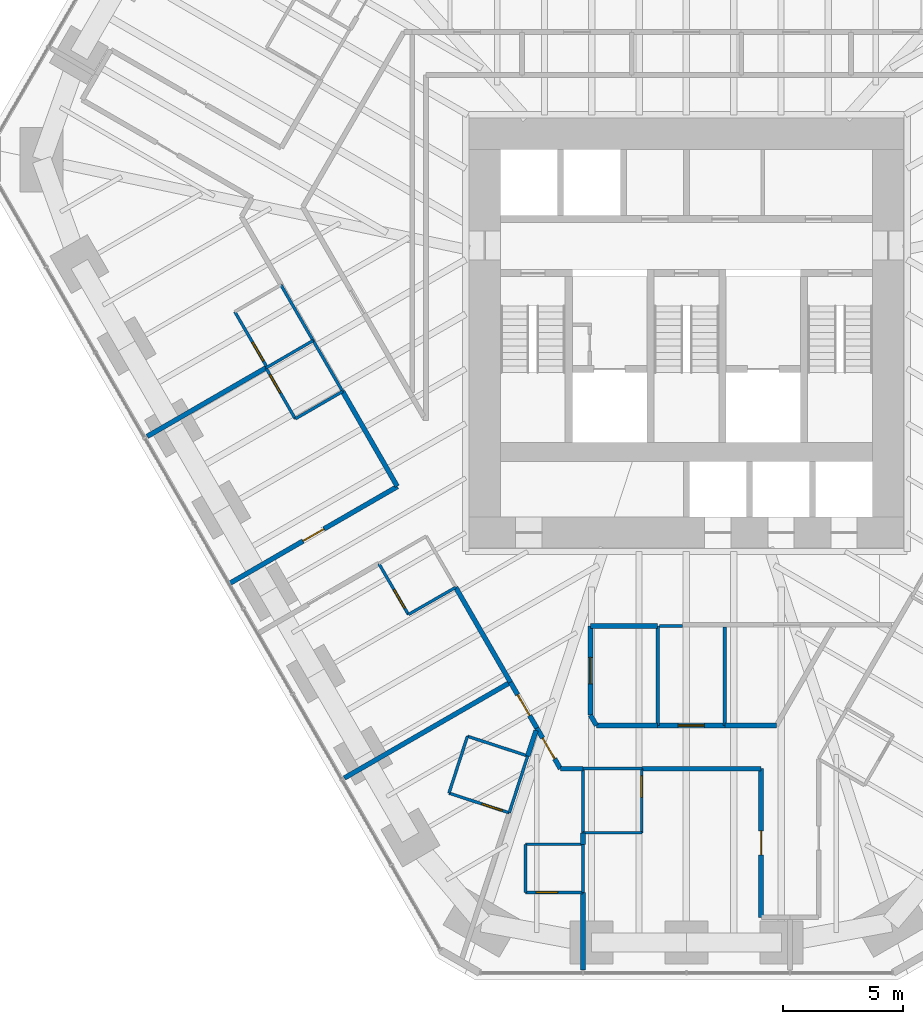
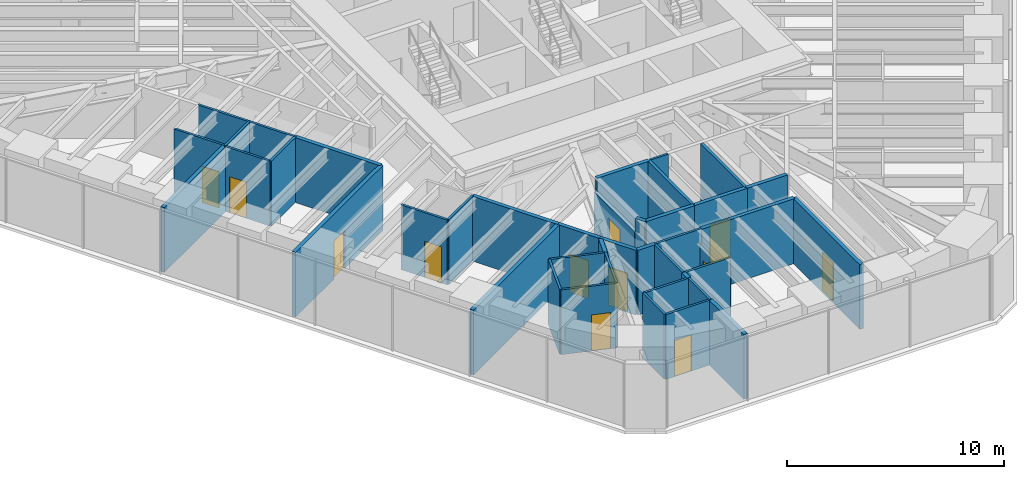
# One storey, part 11 of 17: 42 walls, 12 doors, 12 openings.
"""IFC4 building model written with IfcOpenShell, lengths in metres."""

from ifc_helpers import new_model, si_unit, direction, frame, frame_2d, origin, place, context, subcontext, project, spatial, rectangle, extrude, material, layer, layer_set, type_object, element, fill, save


model = new_model("IFC4")

# Units and contexts
model_context = context("Model", 3, precision=1e-05, world=origin(), true_north=direction((0.0, 1.0)))
body_context = subcontext(model_context, "Body", "Model", "MODEL_VIEW")
ifc_project = project(units=[si_unit("LENGTHUNIT", "METRE"), si_unit("AREAUNIT", "SQUARE_METRE"), si_unit("VOLUMEUNIT", "CUBIC_METRE"), si_unit("PLANEANGLEUNIT", "RADIAN"), si_unit("MASSUNIT", "GRAM", prefix="KILO")], contexts=[model_context])

# Site, building, storey
site_placement = place(None, origin())
site = spatial("IfcSite", under=ifc_project, at=site_placement, CompositionType="ELEMENT")
building_placement = place(site_placement, origin())
building = spatial("IfcBuilding", under=site, at=building_placement, Name="Sandreach Pilgrim Tower", CompositionType="ELEMENT")
storey_placement = place(building_placement, frame((0.0, 0.0, 127.199951171875)))
storey = spatial("IfcBuildingStorey", under=building, at=storey_placement, Name="L31", CompositionType="ELEMENT", Elevation=127.199951171875)

# Walls
ifc_material_1 = material(Name="Gypsum board on steel studs", Category="steel")
ifc_layer_1 = layer(ifc_material_1, 0.14990234375)
ifc_layer_set_1 = layer_set([ifc_layer_1], Name="Back of house wall 150")
wall_type_1 = type_object("IfcWallType", Name="Back of house wall 150", PredefinedType="PARTITIONING", material=ifc_layer_set_1)
wall_1_placement = place(storey_placement, frame((-1.199951171875, -13.75, 0.0), z_axis=(0.0, 0.0, 1.0), x_axis=(0.0, -1.0, 0.0)))
element("IfcWall", 1, at=wall_1_placement, inside=storey, type_object=wall_type_1, Name="Back of house wall L31-089", PredefinedType="PARTITIONING", context=body_context, shape_type="SweptSolid", body=[
    extrude(rectangle(XDim=4.139892578125, YDim=0.14990234375, at=frame_2d((2.06982421875, 0.0))), origin(), (0.0, 0.0, 1.0), 3.64013671875),
])
wall_2_placement = place(storey_placement, frame((1.60009765625, -13.800048828125, 0.0), z_axis=(0.0, 0.0, 1.0), x_axis=(0.0, -1.0, 0.0)))
element("IfcWall", 2, at=wall_2_placement, inside=storey, type_object=wall_type_1, Name="Back of house wall L31-093", PredefinedType="PARTITIONING", context=body_context, shape_type="SweptSolid", body=[
    extrude(rectangle(XDim=4.08984375, YDim=0.14990234375, at=frame_2d((2.044921875, 0.0))), origin(), (0.0, 0.0, 1.0), 3.64013671875),
])

# Wall, opening, door
ifc_material_2 = material(Name="Moisture-resistant gypsum board on steel studs", Category="steel")
ifc_layer_2 = layer(ifc_material_2, 0.1201171875)
ifc_layer_set_2 = layer_set([ifc_layer_2], Name="Bathroom partition 120")
wall_type_2 = type_object("IfcWallType", Name="Bathroom partition 120", PredefinedType="PARTITIONING", material=ifc_layer_set_2)
wall_3_placement = place(storey_placement, frame((-18.81005859375, -0.659912109375, 0.0), z_axis=(0.0, 0.0, 1.0), x_axis=(0.501789229896, -0.86498992408, 0.0)))
wall_3 = element("IfcWall", 3, at=wall_3_placement, inside=storey, type_object=wall_type_2, Name="Bathroom partition L31-007", PredefinedType="PARTITIONING", context=body_context, shape_type="SweptSolid", body=[
    extrude(rectangle(XDim=2.670654296875, YDim=0.1201171875, at=frame_2d((1.33544921875, 0.0))), origin(), (0.0, 0.0, 1.0), 3.64013671875),
])
opening_1_placement = place(wall_3_placement, frame((1.470458984375, 0.0, 0.0)))
opening_1 = element("IfcOpeningElement", 4, at=opening_1_placement, cuts=wall_3, Name="Opening D09-17B", PredefinedType="OPENING", context=body_context, shape_type="SweptSolid", body=[
    extrude(rectangle(XDim=0.89990234375, YDim=2.030029296875, at=frame_2d((0.449951171875, 1.01513671875))), frame((0.0, 0.06005859375, 0.0), z_axis=(0.0, -1.0, 0.0), x_axis=(1.0, 0.0, 0.0)), (0.0, 0.0, 1.0), 0.1201171875),
])
ifc_material_3 = material(Name="Timber door, steel frame", Category="steel")
door_type_1 = type_object("IfcDoorType", Name="Bathroom door", OperationType="SINGLE_SWING_LEFT", PredefinedType="DOOR", material=ifc_material_3)
door_1_placement = place(opening_1_placement, origin())
door_1 = element("IfcDoor", 5, at=door_1_placement, inside=storey, type_object=door_type_1, Name="Door 3117B", OperationType="SINGLE_SWING_RIGHT", OverallHeight=2.030029296875, OverallWidth=0.89990234375, PredefinedType="DOOR", context=body_context, shape_type="SweptSolid", body=[
    extrude(rectangle(XDim=0.89990234375, YDim=2.030029296875, at=frame_2d((0.449951171875, 1.01513671875))), frame((0.0, 0.02490234375, 0.0), z_axis=(0.0, -1.0, 0.0), x_axis=(1.0, 0.0, 0.0)), (0.0, 0.0, 1.0), 0.050048828125),
])
fill(opening_1, door_1)

# Wall
wall_4_placement = place(storey_placement, frame((-17.510009765625, -3.0, 0.0), z_axis=(0.0, 0.0, 1.0), x_axis=(0.864434275542, 0.502745843611, 0.0)))
element("IfcWall", 6, at=wall_4_placement, inside=storey, type_object=wall_type_2, Name="Bathroom partition L31-011", PredefinedType="PARTITIONING", context=body_context, shape_type="SweptSolid", body=[
    extrude(rectangle(XDim=2.267333984375, YDim=0.1201171875, at=frame_2d((1.1337890625, 0.0))), origin(), (0.0, 0.0, 1.0), 3.64013671875),
])

# Wall, opening, door
wall_5_placement = place(storey_placement, frame((-17.507568359375, -3.00439453125, 0.0), z_axis=(0.0, 0.0, 1.0), x_axis=(0.498775507858, -0.866731211369, 0.0)))
wall_5 = element("IfcWall", 7, at=wall_5_placement, inside=storey, type_object=wall_type_2, Name="Bathroom partition L31-012", PredefinedType="PARTITIONING", context=body_context, shape_type="SweptSolid", body=[
    extrude(rectangle(XDim=2.44091796875, YDim=0.1201171875, at=frame_2d((1.220458984375, 0.0))), origin(), (0.0, 0.0, 1.0), 3.64013671875),
])
opening_2_placement = place(wall_5_placement, frame((0.300048828125, 0.0, 0.0)))
opening_2 = element("IfcOpeningElement", 8, at=opening_2_placement, cuts=wall_5, Name="Opening D09-16B", PredefinedType="OPENING", context=body_context, shape_type="SweptSolid", body=[
    extrude(rectangle(XDim=0.89990234375, YDim=2.030029296875, at=frame_2d((0.449951171875, 1.01513671875))), frame((0.0, 0.06005859375, 0.0), z_axis=(0.0, -1.0, 0.0), x_axis=(1.0, 0.0, 0.0)), (0.0, 0.0, 1.0), 0.1201171875),
])
door_2_placement = place(opening_2_placement, origin())
door_2 = element("IfcDoor", 9, at=door_2_placement, inside=storey, type_object=door_type_1, Name="Door 3116B", OperationType="SINGLE_SWING_LEFT", OverallHeight=2.030029296875, OverallWidth=0.89990234375, PredefinedType="DOOR", context=body_context, shape_type="SweptSolid", body=[
    extrude(rectangle(XDim=0.89990234375, YDim=2.030029296875, at=frame_2d((0.449951171875, 1.01513671875))), frame((0.0, 0.02490234375, 0.0), z_axis=(0.0, -1.0, 0.0), x_axis=(1.0, 0.0, 0.0)), (0.0, 0.0, 1.0), 0.050048828125),
])
fill(opening_2, door_2)

# Walls
wall_6_placement = place(storey_placement, frame((-16.2900390625, -5.1201171875, 0.0), z_axis=(0.0, 0.0, 1.0), x_axis=(0.865497265561, 0.500913648553, 0.0)))
element("IfcWall", 10, at=wall_6_placement, inside=storey, type_object=wall_type_2, Name="Bathroom partition L31-019", PredefinedType="PARTITIONING", context=body_context, shape_type="SweptSolid", body=[
    extrude(rectangle(XDim=2.276123046875, YDim=0.1201171875, at=frame_2d((1.13818359375, 0.0))), origin(), (0.0, 0.0, 1.0), 3.64013671875),
])
wall_7_placement = place(storey_placement, frame((-15.550048828125, -1.860107421875, 0.0), z_axis=(0.0, 0.0, 1.0), x_axis=(-0.500098439427, 0.865968562295, 0.0)))
element("IfcWall", 11, at=wall_7_placement, inside=storey, type_object=wall_type_2, Name="Bathroom partition L31-024", PredefinedType="PARTITIONING", context=body_context, shape_type="SweptSolid", body=[
    extrude(rectangle(XDim=2.67919921875, YDim=0.1201171875, at=frame_2d((1.339599609375, 0.0))), origin(), (0.0, 0.0, 1.0), 3.64013671875),
])
wall_8_placement = place(storey_placement, frame((-15.550048828125, -1.860107421875, 0.0), z_axis=(0.0, 0.0, 1.0), x_axis=(0.501856726365, -0.86495076519, 0.0)))
element("IfcWall", 12, at=wall_8_placement, inside=storey, type_object=wall_type_2, Name="Bathroom partition L31-025", PredefinedType="PARTITIONING", context=body_context, shape_type="SweptSolid", body=[
    extrude(rectangle(XDim=2.450927734375, YDim=0.1201171875, at=frame_2d((1.2255859375, 0.0))), origin(), (0.0, 0.0, 1.0), 3.64013671875),
])

# Wall, opening, door
wall_9_placement = place(storey_placement, frame((-12.81005859375, -11.14990234375, 0.0), z_axis=(0.0, 0.0, 1.0), x_axis=(0.501813488763, -0.864975850817, 0.0)))
wall_9 = element("IfcWall", 13, at=wall_9_placement, inside=storey, type_object=wall_type_2, Name="Bathroom partition L31-034", PredefinedType="PARTITIONING", context=body_context, shape_type="SweptSolid", body=[
    extrude(rectangle(XDim=2.451171875, YDim=0.1201171875, at=frame_2d((1.2255859375, 0.0))), origin(), (0.0, 0.0, 1.0), 3.64013671875),
])
opening_3_placement = place(wall_9_placement, frame((1.2509765625, 0.0, 0.0)))
opening_3 = element("IfcOpeningElement", 14, at=opening_3_placement, cuts=wall_9, Name="Opening D09-15B", PredefinedType="OPENING", context=body_context, shape_type="SweptSolid", body=[
    extrude(rectangle(XDim=0.89990234375, YDim=2.030029296875, at=frame_2d((0.449951171875, 1.01513671875))), frame((0.0, 0.06005859375, 0.0), z_axis=(0.0, -1.0, 0.0), x_axis=(1.0, 0.0, 0.0)), (0.0, 0.0, 1.0), 0.1201171875),
])
door_3_placement = place(opening_3_placement, origin())
door_3 = element("IfcDoor", 15, at=door_3_placement, inside=storey, type_object=door_type_1, Name="Door 3115B", OperationType="SINGLE_SWING_RIGHT", OverallHeight=2.030029296875, OverallWidth=0.89990234375, PredefinedType="DOOR", context=body_context, shape_type="SweptSolid", body=[
    extrude(rectangle(XDim=0.89990234375, YDim=2.030029296875, at=frame_2d((0.449951171875, 1.01513671875))), frame((0.0, 0.02490234375, 0.0), z_axis=(0.0, -1.0, 0.0), x_axis=(1.0, 0.0, 0.0)), (0.0, 0.0, 1.0), 0.050048828125),
])
fill(opening_3, door_3)

# Wall
wall_10_placement = place(storey_placement, frame((-11.580078125, -13.27001953125, 0.0), z_axis=(0.0, 0.0, 1.0), x_axis=(0.867428373024, 0.497562074192, 0.0)))
element("IfcWall", 16, at=wall_10_placement, inside=storey, type_object=wall_type_2, Name="Bathroom partition L31-041", PredefinedType="PARTITIONING", context=body_context, shape_type="SweptSolid", body=[
    extrude(rectangle(XDim=2.271240234375, YDim=0.1201171875, at=frame_2d((1.1357421875, 0.0))), origin(), (0.0, 0.0, 1.0), 3.64013671875),
])

# Wall, opening, door
wall_11_placement = place(storey_placement, frame((-9.889892578125, -20.7099609375, 0.0), z_axis=(0.0, 0.0, 1.0), x_axis=(0.950543631688, -0.310591056307, 0.0)))
wall_11 = element("IfcWall", 17, at=wall_11_placement, inside=storey, type_object=wall_type_2, Name="Bathroom partition L31-050", PredefinedType="PARTITIONING", context=body_context, shape_type="SweptSolid", body=[
    extrude(rectangle(XDim=2.640380859375, YDim=0.1201171875, at=frame_2d((1.3203125, 0.0))), origin(), (0.0, 0.0, 1.0), 3.64013671875),
])
opening_4_placement = place(wall_11_placement, frame((1.4404296875, 0.0, 0.0)))
opening_4 = element("IfcOpeningElement", 18, at=opening_4_placement, cuts=wall_11, Name="Opening D09-14B", PredefinedType="OPENING", context=body_context, shape_type="SweptSolid", body=[
    extrude(rectangle(XDim=0.89990234375, YDim=2.030029296875, at=frame_2d((0.449951171875, 1.01513671875))), frame((0.0, 0.06005859375, 0.0), z_axis=(0.0, -1.0, 0.0), x_axis=(1.0, 0.0, 0.0)), (0.0, 0.0, 1.0), 0.1201171875),
])
door_4_placement = place(opening_4_placement, origin())
door_4 = element("IfcDoor", 19, at=door_4_placement, inside=storey, type_object=door_type_1, Name="Door 3114B", OperationType="SINGLE_SWING_RIGHT", OverallHeight=2.030029296875, OverallWidth=0.89990234375, PredefinedType="DOOR", context=body_context, shape_type="SweptSolid", body=[
    extrude(rectangle(XDim=0.89990234375, YDim=2.030029296875, at=frame_2d((0.449951171875, 1.01513671875))), frame((0.0, 0.02490234375, 0.0), z_axis=(0.0, -1.0, 0.0), x_axis=(1.0, 0.0, 0.0)), (0.0, 0.0, 1.0), 0.050048828125),
])
fill(opening_4, door_4)

# Walls
for number, where, z_axis, x_axis, name in (
    (20, (-9.1201171875, -18.340087890625, 0.0), (0.0, 0.0, 1.0), (-0.308928769498, -0.951085177772, 0.0), "Bathroom partition L31-054"),
    (21, (-7.3798828125, -21.530029296875, 0.0), (0.0, 0.0, 1.0), (0.308928769498, 0.951085177772, 0.0), "Bathroom partition L31-055"),
):
    element("IfcWall", number, at=place(storey_placement, frame(where, z_axis=z_axis, x_axis=x_axis)), inside=storey, type_object=wall_type_2, Name=name, PredefinedType="PARTITIONING", context=body_context, shape_type="SweptSolid", body=[
        extrude(rectangle(XDim=2.49169921875, YDim=0.1201171875, at=frame_2d((1.245849609375, 0.0))), origin(), (0.0, 0.0, 1.0), 3.64013671875),
    ])

# Wall, opening, door
wall_12_placement = place(storey_placement, frame((-6.7099609375, -24.840087890625, 0.0), z_axis=(0.0, 0.0, 1.0), x_axis=(1.0, 0.0, 0.0)))
wall_12 = element("IfcWall", 22, at=wall_12_placement, inside=storey, type_object=wall_type_2, Name="Bathroom partition L31-061", PredefinedType="PARTITIONING", context=body_context, shape_type="SweptSolid", body=[
    extrude(rectangle(XDim=2.39990234375, YDim=0.1201171875, at=frame_2d((1.199951171875, 0.0))), origin(), (0.0, 0.0, 1.0), 3.64013671875),
])
opening_5_placement = place(wall_12_placement, frame((0.449951171875, 0.0, 0.0)))
opening_5 = element("IfcOpeningElement", 23, at=opening_5_placement, cuts=wall_12, Name="Opening D09-13B", PredefinedType="OPENING", context=body_context, shape_type="SweptSolid", body=[
    extrude(rectangle(XDim=0.89990234375, YDim=2.030029296875, at=frame_2d((0.449951171875, 1.01513671875))), frame((0.0, 0.06005859375, 0.0), z_axis=(0.0, -1.0, 0.0), x_axis=(1.0, 0.0, 0.0)), (0.0, 0.0, 1.0), 0.1201171875),
])
door_5_placement = place(opening_5_placement, origin())
door_5 = element("IfcDoor", 24, at=door_5_placement, inside=storey, type_object=door_type_1, Name="Door 3113B", OperationType="SINGLE_SWING_LEFT", OverallHeight=2.030029296875, OverallWidth=0.89990234375, PredefinedType="DOOR", context=body_context, shape_type="SweptSolid", body=[
    extrude(rectangle(XDim=0.89990234375, YDim=2.030029296875, at=frame_2d((0.449951171875, 1.01513671875))), frame((0.0, 0.02490234375, 0.0), z_axis=(0.0, -1.0, 0.0), x_axis=(1.0, 0.0, 0.0)), (0.0, 0.0, 1.0), 0.050048828125),
])
fill(opening_5, door_5)

# Walls
wall_13_placement = place(storey_placement, frame((-6.7099609375, -22.840087890625, 0.0), z_axis=(0.0, 0.0, 1.0), x_axis=(0.0, -1.0, 0.0)))
element("IfcWall", 25, at=wall_13_placement, inside=storey, type_object=wall_type_2, Name="Bathroom partition L31-062", PredefinedType="PARTITIONING", context=body_context, shape_type="SweptSolid", body=[
    extrude(rectangle(XDim=2.0, YDim=0.1201171875, at=frame_2d((1.0, 0.0))), origin(), (0.0, 0.0, 1.0), 3.64013671875),
])
wall_14_placement = place(storey_placement, frame((-6.610107421875, -19.159912109375, 0.0), z_axis=(0.0, 0.0, 1.0), x_axis=(-0.950570927373, 0.31050750721, 0.0)))
element("IfcWall", 26, at=wall_14_placement, inside=storey, type_object=wall_type_2, Name="Bathroom partition L31-063", PredefinedType="PARTITIONING", context=body_context, shape_type="SweptSolid", body=[
    extrude(rectangle(XDim=2.640380859375, YDim=0.1201171875, at=frame_2d((1.3203125, 0.0))), origin(), (0.0, 0.0, 1.0), 3.64013671875),
])
wall_15_placement = place(storey_placement, frame((-4.31005859375, -24.840087890625, 0.0), z_axis=(0.0, 0.0, 1.0), x_axis=(0.0, 1.0, 0.0)))
element("IfcWall", 27, at=wall_15_placement, inside=storey, type_object=wall_type_2, Name="Bathroom partition L31-070", PredefinedType="PARTITIONING", context=body_context, shape_type="SweptSolid", body=[
    extrude(rectangle(XDim=2.0, YDim=0.1201171875, at=frame_2d((1.0, 0.0))), origin(), (0.0, 0.0, 1.0), 3.64013671875),
])
wall_16_placement = place(storey_placement, frame((-4.31005859375, -22.840087890625, 0.0), z_axis=(0.0, 0.0, 1.0), x_axis=(-1.0, 0.0, 0.0)))
element("IfcWall", 28, at=wall_16_placement, inside=storey, type_object=wall_type_2, Name="Bathroom partition L31-071", PredefinedType="PARTITIONING", context=body_context, shape_type="SweptSolid", body=[
    extrude(rectangle(XDim=2.39990234375, YDim=0.1201171875, at=frame_2d((1.199951171875, 0.0))), origin(), (0.0, 0.0, 1.0), 3.64013671875),
])
wall_17_placement = place(storey_placement, frame((-4.31005859375, -22.360107421875, 0.0), z_axis=(0.0, 0.0, 1.0), x_axis=(0.0, 1.0, 0.0)))
element("IfcWall", 29, at=wall_17_placement, inside=storey, type_object=wall_type_2, Name="Bathroom partition L31-073", PredefinedType="PARTITIONING", context=body_context, shape_type="SweptSolid", body=[
    extrude(rectangle(XDim=2.670166015625, YDim=0.1201171875, at=frame_2d((1.3349609375, 0.0))), origin(), (0.0, 0.0, 1.0), 3.64013671875),
])
for number, where, z_axis, x_axis, name in (
    (30, (-4.31005859375, -22.360107421875, 0.0), (0.0, 0.0, 1.0), (1.0, 0.0, 0.0), "Bathroom partition L31-074"),
    (31, (-4.31005859375, -19.68994140625, 0.0), (0.0, 0.0, 1.0), (1.0, 0.0, 0.0), "Bathroom partition L31-075"),
):
    element("IfcWall", number, at=place(storey_placement, frame(where, z_axis=z_axis, x_axis=x_axis)), inside=storey, type_object=wall_type_2, Name=name, PredefinedType="PARTITIONING", context=body_context, shape_type="SweptSolid", body=[
        extrude(rectangle(XDim=2.449951171875, YDim=0.1201171875, at=frame_2d((1.22509765625, 0.0))), origin(), (0.0, 0.0, 1.0), 3.64013671875),
    ])

# Wall, opening, door
wall_18_placement = place(storey_placement, frame((-1.860107421875, -22.360107421875, 0.0), z_axis=(0.0, 0.0, 1.0), x_axis=(0.0, 1.0, 0.0)))
wall_18 = element("IfcWall", 32, at=wall_18_placement, inside=storey, type_object=wall_type_2, Name="Bathroom partition L31-086", PredefinedType="PARTITIONING", context=body_context, shape_type="SweptSolid", body=[
    extrude(rectangle(XDim=2.670166015625, YDim=0.1201171875, at=frame_2d((1.3349609375, 0.0))), origin(), (0.0, 0.0, 1.0), 2.8603515625),
])
opening_6_placement = place(wall_18_placement, frame((1.469970703125, 0.0, 0.0)))
opening_6 = element("IfcOpeningElement", 33, at=opening_6_placement, cuts=wall_18, Name="Opening D09-12B", PredefinedType="OPENING", context=body_context, shape_type="SweptSolid", body=[
    extrude(rectangle(XDim=0.89990234375, YDim=2.030029296875, at=frame_2d((0.449951171875, 1.01513671875))), frame((0.0, 0.06005859375, 0.0), z_axis=(0.0, -1.0, 0.0), x_axis=(1.0, 0.0, 0.0)), (0.0, 0.0, 1.0), 0.1201171875),
])
door_6_placement = place(opening_6_placement, origin())
door_6 = element("IfcDoor", 34, at=door_6_placement, inside=storey, type_object=door_type_1, Name="Door 3112B", OperationType="SINGLE_SWING_RIGHT", OverallHeight=2.030029296875, OverallWidth=0.89990234375, PredefinedType="DOOR", context=body_context, shape_type="SweptSolid", body=[
    extrude(rectangle(XDim=0.89990234375, YDim=2.030029296875, at=frame_2d((0.449951171875, 1.01513671875))), frame((0.0, 0.02490234375, 0.0), z_axis=(0.0, -1.0, 0.0), x_axis=(1.0, 0.0, 0.0)), (0.0, 0.0, 1.0), 0.050048828125),
])
fill(opening_6, door_6)

# Walls
wall_19_placement = place(storey_placement, frame((-1.125, -13.75, 0.0), z_axis=(0.0, 0.0, 1.0), x_axis=(1.0, 0.0, 0.0)))
element("IfcWall", 35, at=wall_19_placement, inside=storey, type_object=wall_type_2, Name="Bathroom partition L31-090", PredefinedType="PARTITIONING", context=body_context, shape_type="SweptSolid", body=[
    extrude(rectangle(XDim=0.955078125, YDim=0.1201171875, at=frame_2d((0.4775390625, 0.0))), origin(), (0.0, 0.0, 1.0), 3.64013671875),
])
ifc_material_4 = material(Name="Gypsum board on steel studs, two layers each side", Category="steel")
ifc_layer_3 = layer(ifc_material_4, 0.199951171875)
ifc_layer_set_3 = layer_set([ifc_layer_3], Name="Corridor wall 200")
wall_type_3 = type_object("IfcWallType", Name="Corridor wall 200", PredefinedType="PARTITIONING", material=ifc_layer_set_3)
wall_20_placement = place(storey_placement, frame((-14.320068359375, -3.97998046875, 0.0), z_axis=(0.0, 0.0, 1.0), x_axis=(0.49899372311, -0.866605599046, 0.0)))
element("IfcWall", 36, at=wall_20_placement, inside=storey, type_object=wall_type_3, Name="Corridor wall L31-029", PredefinedType="PARTITIONING", context=body_context, shape_type="SweptSolid", body=[
    extrude(rectangle(XDim=4.5546875, YDim=0.199951171875, at=frame_2d((2.27734375, 0.0))), origin(), (0.0, 0.0, 1.0), 3.64013671875),
])

# Wall, opening, door
wall_21_placement = place(storey_placement, frame((-12.0400390625, -7.93994140625, 0.0), z_axis=(0.0, 0.0, 1.0), x_axis=(-0.86587701925, -0.500256921525, 0.0)))
wall_21 = element("IfcWall", 37, at=wall_21_placement, inside=storey, type_object=wall_type_3, Name="Corridor wall L31-039", PredefinedType="PARTITIONING", context=body_context, shape_type="SweptSolid", body=[
    extrude(rectangle(XDim=8.065673828125, YDim=0.199951171875, at=frame_2d((4.03271484375, 0.0))), origin(), (0.0, 0.0, 1.0), 3.64013671875),
])
opening_7_placement = place(wall_21_placement, frame((3.532958984375, 0.0, 0.0)))
opening_7 = element("IfcOpeningElement", 38, at=opening_7_placement, cuts=wall_21, Name="Opening D10-16", PredefinedType="OPENING", context=body_context, shape_type="SweptSolid", body=[
    extrude(rectangle(XDim=1.0, YDim=2.1298828125, at=frame_2d((0.5, 1.06494140625))), frame((0.0, 0.10009765625, 0.0), z_axis=(0.0, -1.0, 0.0), x_axis=(1.0, 0.0, 0.0)), (0.0, 0.0, 1.0), 0.199951171875),
])
ifc_material_5 = material(Name="Steel door and frame", Category="steel")
door_type_2 = type_object("IfcDoorType", Name="Guest room entry door", OperationType="SINGLE_SWING_LEFT", PredefinedType="DOOR", material=ifc_material_5)
door_7_placement = place(opening_7_placement, origin())
door_7 = element("IfcDoor", 39, at=door_7_placement, inside=storey, type_object=door_type_2, Name="Door 3116", OperationType="SINGLE_SWING_LEFT", OverallHeight=2.1298828125, OverallWidth=1.0, PredefinedType="DOOR", context=body_context, shape_type="SweptSolid", body=[
    extrude(rectangle(XDim=1.0, YDim=2.1298828125, at=frame_2d((0.5, 1.06494140625))), frame((0.0, 0.02490234375, 0.0), z_axis=(0.0, -1.0, 0.0), x_axis=(1.0, 0.0, 0.0)), (0.0, 0.0, 1.0), 0.050048828125),
])
fill(opening_7, door_7)

# Wall
wall_22_placement = place(storey_placement, frame((-9.610107421875, -12.139892578125, 0.0), z_axis=(0.0, 0.0, 1.0), x_axis=(0.499898533245, -0.866083977718, 0.0)))
element("IfcWall", 40, at=wall_22_placement, inside=storey, type_object=wall_type_3, Name="Corridor wall L31-053", PredefinedType="PARTITIONING", context=body_context, shape_type="SweptSolid", body=[
    extrude(rectangle(XDim=4.56103515625, YDim=0.199951171875, at=frame_2d((2.280517578125, 0.0))), origin(), (0.0, 0.0, 1.0), 3.64013671875),
])

# Wall, opening, door
wall_23_placement = place(storey_placement, frame((-7.330078125, -16.090087890625, 0.0), z_axis=(0.0, 0.0, 1.0), x_axis=(0.499118212815, -0.866533905648, 0.0)))
wall_23 = element("IfcWall", 41, at=wall_23_placement, inside=storey, type_object=wall_type_3, Name="Corridor wall L31-057", PredefinedType="PARTITIONING", context=body_context, shape_type="SweptSolid", body=[
    extrude(rectangle(XDim=2.2041015625, YDim=0.199951171875, at=frame_2d((1.10205078125, 0.0))), origin(), (0.0, 0.0, 1.0), 3.64013671875),
])
opening_8_placement = place(wall_23_placement, frame((0.60205078125, 0.0, 0.0)))
opening_8 = element("IfcOpeningElement", 42, at=opening_8_placement, cuts=wall_23, Name="Opening D10-14", PredefinedType="OPENING", context=body_context, shape_type="SweptSolid", body=[
    extrude(rectangle(XDim=1.0, YDim=2.1298828125, at=frame_2d((0.5, 1.06494140625))), frame((0.0, 0.10009765625, 0.0), z_axis=(0.0, -1.0, 0.0), x_axis=(1.0, 0.0, 0.0)), (0.0, 0.0, 1.0), 0.199951171875),
])
door_8_placement = place(opening_8_placement, origin())
door_8 = element("IfcDoor", 43, at=door_8_placement, inside=storey, type_object=door_type_2, Name="Door 3114", OperationType="SINGLE_SWING_LEFT", OverallHeight=2.1298828125, OverallWidth=1.0, PredefinedType="DOOR", context=body_context, shape_type="SweptSolid", body=[
    extrude(rectangle(XDim=1.0, YDim=2.1298828125, at=frame_2d((0.5, 1.06494140625))), frame((0.0, 0.02490234375, 0.0), z_axis=(0.0, -1.0, 0.0), x_axis=(1.0, 0.0, 0.0)), (0.0, 0.0, 1.0), 0.050048828125),
])
fill(opening_8, door_8)

wall_24_placement = place(storey_placement, frame((-6.22998046875, -18.0, 0.0), z_axis=(0.0, 0.0, 1.0), x_axis=(0.501647016168, -0.86507240805, 0.0)))
wall_24 = element("IfcWall", 44, at=wall_24_placement, inside=storey, type_object=wall_type_3, Name="Corridor wall L31-065", PredefinedType="PARTITIONING", context=body_context, shape_type="SweptSolid", body=[
    extrude(rectangle(XDim=1.95361328125, YDim=0.199951171875, at=frame_2d((0.976806640625, 0.0))), origin(), (0.0, 0.0, 1.0), 3.64013671875),
])
opening_9_placement = place(wall_24_placement, frame((0.476806640625, 0.0, 0.0)))
opening_9 = element("IfcOpeningElement", 45, at=opening_9_placement, cuts=wall_24, Name="Opening D10-13", PredefinedType="OPENING", context=body_context, shape_type="SweptSolid", body=[
    extrude(rectangle(XDim=1.0, YDim=2.1298828125, at=frame_2d((0.5, 1.06494140625))), frame((0.0, 0.10009765625, 0.0), z_axis=(0.0, -1.0, 0.0), x_axis=(1.0, 0.0, 0.0)), (0.0, 0.0, 1.0), 0.199951171875),
])
door_9_placement = place(opening_9_placement, origin())
door_9 = element("IfcDoor", 46, at=door_9_placement, inside=storey, type_object=door_type_2, Name="Door 3113", OperationType="SINGLE_SWING_LEFT", OverallHeight=2.1298828125, OverallWidth=1.0, PredefinedType="DOOR", context=body_context, shape_type="SweptSolid", body=[
    extrude(rectangle(XDim=1.0, YDim=2.1298828125, at=frame_2d((0.5, 1.06494140625))), frame((0.0, 0.02490234375, 0.0), z_axis=(0.0, -1.0, 0.0), x_axis=(1.0, 0.0, 0.0)), (0.0, 0.0, 1.0), 0.050048828125),
])
fill(opening_9, door_9)

# Wall
wall_25_placement = place(storey_placement, frame((-5.25, -19.68994140625, 0.0), z_axis=(0.0, 0.0, 1.0), x_axis=(1.0, 0.0, 0.0)))
element("IfcWall", 47, at=wall_25_placement, inside=storey, type_object=wall_type_3, Name="Corridor wall L31-068", PredefinedType="PARTITIONING", context=body_context, shape_type="SweptSolid", body=[
    extrude(rectangle(XDim=0.93994140625, YDim=0.199951171875, at=frame_2d((0.469970703125, 0.0))), origin(), (0.0, 0.0, 1.0), 3.64013671875),
])

# Wall, opening, door
wall_26_placement = place(storey_placement, frame((-4.0, -17.4599609375, 0.0), z_axis=(0.0, 0.0, 1.0), x_axis=(0.0, 1.0, 0.0)))
wall_26 = element("IfcWall", 48, at=wall_26_placement, inside=storey, type_object=wall_type_3, Name="Corridor wall L31-076", PredefinedType="PARTITIONING", context=body_context, shape_type="SweptSolid", body=[
    extrude(rectangle(XDim=3.7099609375, YDim=0.199951171875, at=frame_2d((1.85498046875, 0.0))), origin(), (0.0, 0.0, 1.0), 2.8779296875),
])
opening_10_placement = place(wall_26_placement, frame((1.304931640625, 0.0, 0.0)))
opening_10 = element("IfcOpeningElement", 49, at=opening_10_placement, cuts=wall_26, Name="Opening D11H-S2", PredefinedType="OPENING", context=body_context, shape_type="SweptSolid", body=[
    extrude(rectangle(XDim=1.10009765625, YDim=2.199951171875, at=frame_2d((0.550048828125, 1.10009765625))), frame((0.0, 0.10009765625, 0.0), z_axis=(0.0, -1.0, 0.0), x_axis=(1.0, 0.0, 0.0)), (0.0, 0.0, 1.0), 0.199951171875),
])
ifc_material_6 = material(Name="Steel door and frame", Category="steel")
door_type_3 = type_object("IfcDoorType", Name="Back of house door", OperationType="SINGLE_SWING_LEFT", PredefinedType="DOOR", material=ifc_material_6)
door_10_placement = place(opening_10_placement, origin())
door_10 = element("IfcDoor", 50, at=door_10_placement, inside=storey, type_object=door_type_3, Name="Door 31S2", OperationType="SINGLE_SWING_LEFT", OverallHeight=2.199951171875, OverallWidth=1.10009765625, PredefinedType="DOOR", context=body_context, shape_type="SweptSolid", body=[
    extrude(rectangle(XDim=1.10009765625, YDim=2.199951171875, at=frame_2d((0.550048828125, 1.10009765625))), frame((0.0, 0.02490234375, 0.0), z_axis=(0.0, -1.0, 0.0), x_axis=(1.0, 0.0, 0.0)), (0.0, 0.0, 1.0), 0.050048828125),
])
fill(opening_10, door_10)

# Walls
wall_27_placement = place(storey_placement, frame((-3.989990234375, -13.75, 0.0), z_axis=(0.0, 0.0, 1.0), x_axis=(1.0, 0.0, 0.0)))
element("IfcWall", 51, at=wall_27_placement, inside=storey, type_object=wall_type_3, Name="Corridor wall L31-077", PredefinedType="PARTITIONING", context=body_context, shape_type="SweptSolid", body=[
    extrude(rectangle(XDim=2.7900390625, YDim=0.199951171875, at=frame_2d((1.39501953125, 0.0))), origin(), (0.0, 0.0, 1.0), 3.64013671875),
])
wall_28_placement = place(storey_placement, frame((-3.75, -17.889892578125, 0.0), z_axis=(0.0, 0.0, 1.0), x_axis=(-0.502680181512, 0.864472460588, 0.0)))
element("IfcWall", 52, at=wall_28_placement, inside=storey, type_object=wall_type_3, Name="Corridor wall L31-078", PredefinedType="PARTITIONING", context=body_context, shape_type="SweptSolid", body=[
    extrude(rectangle(XDim=0.497314453125, YDim=0.199951171875, at=frame_2d((0.24853515625, 0.0))), origin(), (0.0, 0.0, 1.0), 3.64013671875),
])
wall_29_placement = place(storey_placement, frame((-1.860107421875, -19.68994140625, 0.0), z_axis=(0.0, 0.0, 1.0), x_axis=(1.0, 0.0, 0.0)))
element("IfcWall", 53, at=wall_29_placement, inside=storey, type_object=wall_type_3, Name="Corridor wall L31-087", PredefinedType="PARTITIONING", context=body_context, shape_type="SweptSolid", body=[
    extrude(rectangle(XDim=4.960205078125, YDim=0.199951171875, at=frame_2d((2.47998046875, 0.0))), origin(), (0.0, 0.0, 1.0), 3.64013671875),
])
wall_30_placement = place(storey_placement, frame((-1.199951171875, -17.889892578125, 0.0), z_axis=(0.0, 0.0, 1.0), x_axis=(-1.0, 0.0, 0.0)))
element("IfcWall", 54, at=wall_30_placement, inside=storey, type_object=wall_type_3, Name="Corridor wall L31-088", PredefinedType="PARTITIONING", context=body_context, shape_type="SweptSolid", body=[
    extrude(rectangle(XDim=2.550048828125, YDim=0.199951171875, at=frame_2d((1.27490234375, 0.0))), origin(), (0.0, 0.0, 1.0), 3.64013671875),
])

# Wall, opening, door
wall_31_placement = place(storey_placement, frame((1.60009765625, -17.889892578125, 0.0), z_axis=(0.0, 0.0, 1.0), x_axis=(-1.0, 0.0, 0.0)))
wall_31 = element("IfcWall", 55, at=wall_31_placement, inside=storey, type_object=wall_type_3, Name="Corridor wall L31-092", PredefinedType="PARTITIONING", context=body_context, shape_type="SweptSolid", body=[
    extrude(rectangle(XDim=2.800048828125, YDim=0.199951171875, at=frame_2d((1.39990234375, 0.0))), origin(), (0.0, 0.0, 1.0), 3.64013671875),
])
opening_11_placement = place(wall_31_placement, frame((0.85009765625, 0.0, 0.0)))
opening_11 = element("IfcOpeningElement", 56, at=opening_11_placement, cuts=wall_31, Name="Opening D11H-S3", PredefinedType="OPENING", context=body_context, shape_type="SweptSolid", body=[
    extrude(rectangle(XDim=1.10009765625, YDim=2.199951171875, at=frame_2d((0.550048828125, 1.10009765625))), frame((0.0, 0.10009765625, 0.0), z_axis=(0.0, -1.0, 0.0), x_axis=(1.0, 0.0, 0.0)), (0.0, 0.0, 1.0), 0.199951171875),
])
door_11_placement = place(opening_11_placement, origin())
door_11 = element("IfcDoor", 57, at=door_11_placement, inside=storey, type_object=door_type_3, Name="Door 31S3", OperationType="SINGLE_SWING_LEFT", OverallHeight=2.199951171875, OverallWidth=1.10009765625, PredefinedType="DOOR", context=body_context, shape_type="SweptSolid", body=[
    extrude(rectangle(XDim=1.10009765625, YDim=2.199951171875, at=frame_2d((0.550048828125, 1.10009765625))), frame((0.0, 0.02490234375, 0.0), z_axis=(0.0, -1.0, 0.0), x_axis=(1.0, 0.0, 0.0)), (0.0, 0.0, 1.0), 0.050048828125),
])
fill(opening_11, door_11)

wall_32_placement = place(storey_placement, frame((3.110107421875, -19.68994140625, 0.0), z_axis=(0.0, 0.0, 1.0), x_axis=(0.0, -1.0, 0.0)))
wall_32 = element("IfcWall", 58, at=wall_32_placement, inside=storey, type_object=wall_type_3, Name="Corridor wall L31-097", PredefinedType="PARTITIONING", context=body_context, shape_type="SweptSolid", body=[
    extrude(rectangle(XDim=6.18994140625, YDim=0.199951171875, at=frame_2d((3.094970703125, 0.0))), origin(), (0.0, 0.0, 1.0), 3.64013671875),
])
opening_12_placement = place(wall_32_placement, frame((2.594970703125, 0.0, 0.0)))
opening_12 = element("IfcOpeningElement", 59, at=opening_12_placement, cuts=wall_32, Name="Opening D10-12", PredefinedType="OPENING", context=body_context, shape_type="SweptSolid", body=[
    extrude(rectangle(XDim=1.0, YDim=2.1298828125, at=frame_2d((0.5, 1.06494140625))), frame((0.0, 0.10009765625, 0.0), z_axis=(0.0, -1.0, 0.0), x_axis=(1.0, 0.0, 0.0)), (0.0, 0.0, 1.0), 0.199951171875),
])
door_12_placement = place(opening_12_placement, origin())
door_12 = element("IfcDoor", 60, at=door_12_placement, inside=storey, type_object=door_type_2, Name="Door 3112", OperationType="SINGLE_SWING_LEFT", OverallHeight=2.1298828125, OverallWidth=1.0, PredefinedType="DOOR", context=body_context, shape_type="SweptSolid", body=[
    extrude(rectangle(XDim=1.0, YDim=2.1298828125, at=frame_2d((0.5, 1.06494140625))), frame((0.0, 0.02490234375, 0.0), z_axis=(0.0, -1.0, 0.0), x_axis=(1.0, 0.0, 0.0)), (0.0, 0.0, 1.0), 0.050048828125),
])
fill(opening_12, door_12)

# Walls
wall_33_placement = place(storey_placement, frame((3.75, -17.889892578125, 0.0), z_axis=(0.0, 0.0, 1.0), x_axis=(-1.0, 0.0, 0.0)))
element("IfcWall", 61, at=wall_33_placement, inside=storey, type_object=wall_type_3, Name="Corridor wall L31-101", PredefinedType="PARTITIONING", context=body_context, shape_type="SweptSolid", body=[
    extrude(rectangle(XDim=2.14990234375, YDim=0.199951171875, at=frame_2d((1.074951171875, 0.0))), origin(), (0.0, 0.0, 1.0), 3.64013671875),
])
ifc_material_7 = material(Name="Double steel stud acoustic wall, gypsum board", Category="steel")
ifc_layer_4 = layer(ifc_material_7, 0.199951171875)
ifc_layer_set_4 = layer_set([ifc_layer_4], Name="Party wall 200")
wall_type_4 = type_object("IfcWallType", Name="Party wall 200", PredefinedType="PARTITIONING", material=ifc_layer_set_4)
wall_34_placement = place(storey_placement, frame((-17.469970703125, -2.969970703125, 0.0), z_axis=(0.0, 0.0, 1.0), x_axis=(-0.865919350456, -0.50018364478, 0.0)))
element("IfcWall", 62, at=wall_34_placement, inside=storey, type_object=wall_type_4, Name="Party wall L31-014", PredefinedType="PARTITIONING", context=body_context, shape_type="SweptSolid", body=[
    extrude(rectangle(XDim=5.758056640625, YDim=0.199951171875, at=frame_2d((2.87890625, 0.0))), origin(), (0.0, 0.0, 1.0), 3.64013671875),
])
wall_35_placement = place(storey_placement, frame((-14.24609375, -20.080078125, 0.0), z_axis=(0.0, 0.0, 1.0), x_axis=(0.866178955952, 0.49973394548, 0.0)))
element("IfcWall", 63, at=wall_35_placement, inside=storey, type_object=wall_type_4, Name="Party wall L31-031", PredefinedType="PARTITIONING", context=body_context, shape_type="SweptSolid", body=[
    extrude(rectangle(XDim=7.969482421875, YDim=0.199951171875, at=frame_2d((3.98486328125, 0.0))), origin(), (0.0, 0.0, 1.0), 3.64013671875),
])
wall_36_placement = place(storey_placement, frame((-6.610107421875, -19.159912109375, 0.0), z_axis=(0.0, 0.0, 1.0), x_axis=(0.311430803564, 0.9502688328, 0.0)))
element("IfcWall", 64, at=wall_36_placement, inside=storey, type_object=wall_type_4, Name="Party wall L31-064", PredefinedType="PARTITIONING", context=body_context, shape_type="SweptSolid", body=[
    extrude(rectangle(XDim=1.115478515625, YDim=0.199951171875, at=frame_2d((0.5576171875, 0.0))), origin(), (0.0, 0.0, 1.0), 3.64013671875),
])
wall_37_placement = place(storey_placement, frame((-4.31005859375, -28.070068359375, 0.0), z_axis=(0.0, 0.0, 1.0), x_axis=(0.0, 1.0, 0.0)))
element("IfcWall", 65, at=wall_37_placement, inside=storey, type_object=wall_type_4, Name="Party wall L31-069", PredefinedType="PARTITIONING", context=body_context, shape_type="SweptSolid", body=[
    extrude(rectangle(XDim=3.22998046875, YDim=0.199951171875, at=frame_2d((1.614990234375, 0.0))), origin(), (0.0, 0.0, 1.0), 3.64013671875),
])
wall_38_placement = place(storey_placement, frame((-4.31005859375, -22.840087890625, 0.0), z_axis=(0.0, 0.0, 1.0), x_axis=(0.0, 1.0, 0.0)))
element("IfcWall", 66, at=wall_38_placement, inside=storey, type_object=wall_type_4, Name="Party wall L31-072", PredefinedType="PARTITIONING", context=body_context, shape_type="SweptSolid", body=[
    extrude(rectangle(XDim=0.47998046875, YDim=0.199951171875, at=frame_2d((0.239990234375, 0.0))), origin(), (0.0, 0.0, 1.0), 3.64013671875),
])

save(model, "model.ifc")
